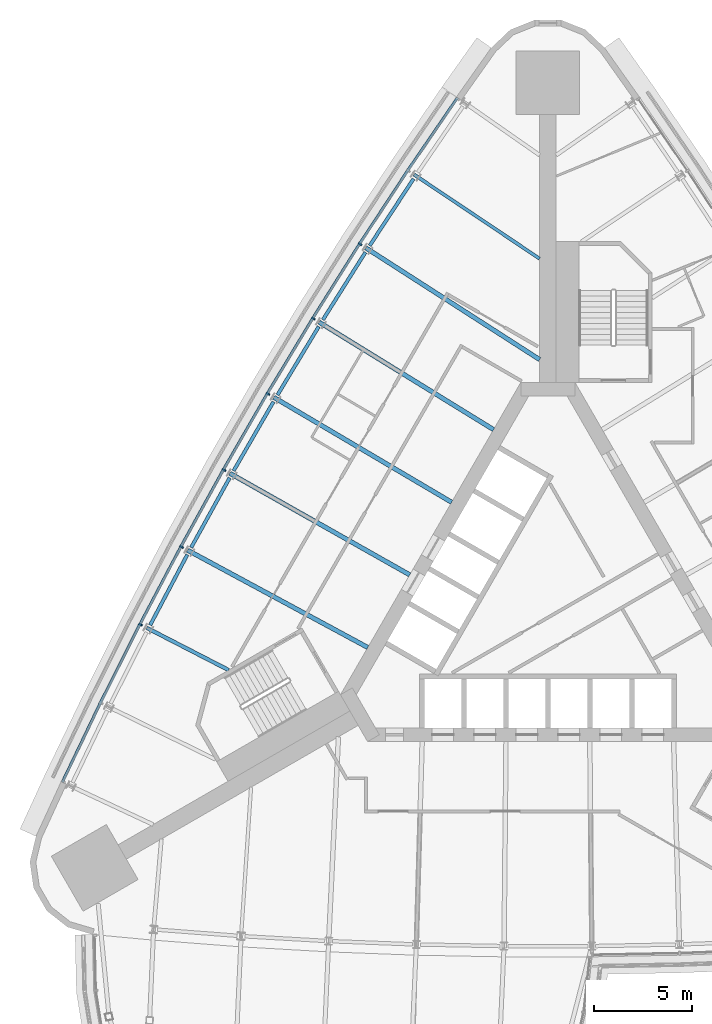
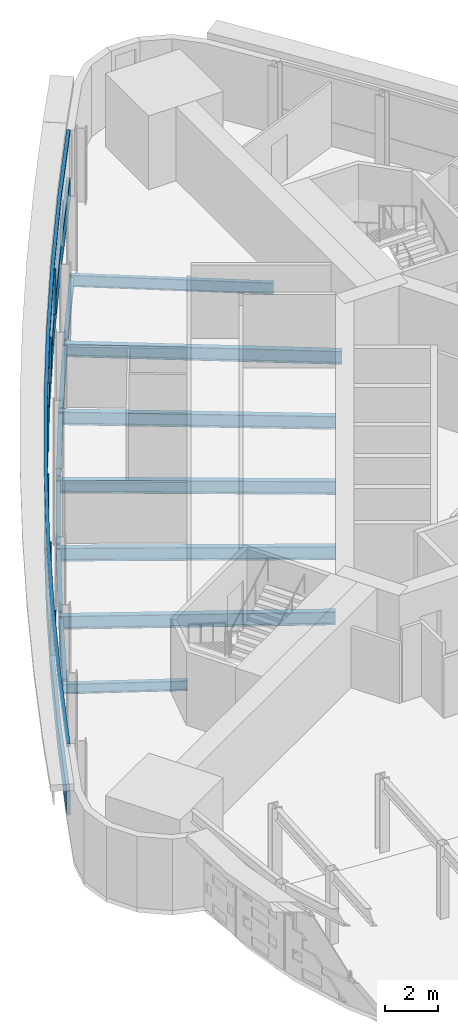
# One storey, part 6 of 16: 13 beams, 8 members, 1 element without a shape of its own.
"""IFC4 building model written with IfcOpenShell, lengths in metres."""

from ifc_helpers import new_model, si_unit, direction, frame, origin, origin_2d, place, context, subcontext, project, spatial, polyline, rectangle, i_section, outline, extrude, material, material_profile, profile_set, type_object, element, aggregate, save


model = new_model("IFC4")

# Units and contexts
model_context = context("Model", 3, precision=1e-05, world=origin(), true_north=direction((0.0, 1.0)))
body_context = subcontext(model_context, "Body", "Model", "MODEL_VIEW")
ifc_project = project(units=[si_unit("LENGTHUNIT", "METRE"), si_unit("AREAUNIT", "SQUARE_METRE"), si_unit("VOLUMEUNIT", "CUBIC_METRE"), si_unit("PLANEANGLEUNIT", "RADIAN"), si_unit("MASSUNIT", "GRAM", prefix="KILO")], contexts=[model_context])

# Site, building, storey
site_placement = place(None, origin())
site = spatial("IfcSite", under=ifc_project, at=site_placement, CompositionType="ELEMENT")
building_placement = place(site_placement, origin())
building = spatial("IfcBuilding", under=site, at=building_placement, Name="Noor Cloister Tower", CompositionType="ELEMENT")
storey_placement = place(building_placement, frame((0.0, 0.0, 65.39990234375)))
storey = spatial("IfcBuildingStorey", under=building, at=storey_placement, Name="L16", CompositionType="ELEMENT", Elevation=65.39990234375)

# Curtain wall, members
ifc_material_1 = material(Name="Aluminium 6063-T6 anodised", Category="aluminium")
curtain_wall_type = type_object("IfcCurtainWallType", Name="Ribbon curtain wall, lower tower CW1", PredefinedType="NOTDEFINED", material=ifc_material_1)
curtain_wall_placement = place(storey_placement, origin())
curtain_wall = element("IfcCurtainWall", 1, at=curtain_wall_placement, inside=storey, type_object=curtain_wall_type, Name="CW1 L16 NW run 1", PredefinedType="NOTDEFINED")
ifc_material_2 = material(Name="Aluminium 6063-T6 anodised", Category="aluminium")
member_type_1 = type_object("IfcMemberType", Name="Head transom CW1 150", PredefinedType="USERDEFINED", material=ifc_material_2)
member_1_placement = place(storey_placement, frame((0.0, 0.0, 3.150146484375)))
member_1 = element("IfcMember", 2, at=member_1_placement, type_object=member_type_1, Name="CW1 head transom", ObjectType="TRANSOM", PredefinedType="USERDEFINED", context=body_context, shape_type="SweptSolid", body=[
    extrude(outline(polyline([(-4.683837890625, 26.05810546875), (-7.224609375, 22.343994140625), (-9.69384765625, 18.582275390625), (-12.091064453125, 14.77392578125), (-14.4150390625, 10.920654296875), (-16.6650390625, 7.0234375), (-18.840087890625, 3.084228515625), (-20.939697265625, -0.89599609375), (-22.962890625, -4.91552734375), (-24.908935546875, -8.972900390625), (-24.78271484375, -9.033447265625), (-22.837158203125, -4.97705078125), (-20.815185546875, -0.9599609375), (-18.717041015625, 3.017822265625), (-16.543212890625, 6.95458984375), (-14.29443359375, 10.849365234375), (-11.971923828125, 14.700439453125), (-9.576171875, 18.506591796875), (-7.108154296875, 22.26611328125), (-4.568115234375, 25.97900390625), (-4.683837890625, 26.05810546875)])), origin(), (0.0, 0.0, 1.0), 0.14990234375),
])
ifc_material_3 = material(Name="Aluminium 6063-T6 anodised", Category="aluminium")
ifc_material_profile_1 = material_profile(ifc_material_3, rectangle(XDim=0.199951171875, YDim=0.080078125, at=origin_2d()), Name="200 x 80 mullion")
ifc_profile_set_1 = profile_set([ifc_material_profile_1], Name="Aluminium 6063-T6 anodised")
member_type_2 = type_object("IfcMemberType", Name="Mullion CW1 80 x 200", PredefinedType="MULLION", material=ifc_profile_set_1)
member_2_placement = place(storey_placement, frame((-9.60986328125, 18.528076171875, 1.10009765625), z_axis=(0.0, 0.0, 1.0), x_axis=(0.841177373697, -0.540759305034, 0.0)))
member_2 = element("IfcMember", 3, at=member_2_placement, type_object=member_type_2, Name="CW1 mullion 3", PredefinedType="MULLION", context=body_context, shape_type="SweptSolid", body=[
    extrude(rectangle(XDim=0.199951171875, YDim=0.080078125, at=origin_2d()), origin(), (0.0, 0.0, 1.0), 2.050048828125),
])
member_3_placement = place(storey_placement, frame((-12.005859375, 14.721435546875, 1.10009765625), z_axis=(0.0, 0.0, 1.0), x_axis=(0.851349873532, -0.524598315702, 0.0)))
member_3 = element("IfcMember", 4, at=member_3_placement, type_object=member_type_2, Name="CW1 mullion 4", PredefinedType="MULLION", context=body_context, shape_type="SweptSolid", body=[
    extrude(rectangle(XDim=0.199951171875, YDim=0.080078125, at=origin_2d()), origin(), (0.0, 0.0, 1.0), 2.050048828125),
])
member_4_placement = place(storey_placement, frame((-14.328857421875, 10.86962890625, 1.10009765625), z_axis=(0.0, 0.0, 1.0), x_axis=(0.861211922396, -0.50824602775, 0.0)))
member_4 = element("IfcMember", 5, at=member_4_placement, type_object=member_type_2, Name="CW1 mullion 5", PredefinedType="MULLION", context=body_context, shape_type="SweptSolid", body=[
    extrude(rectangle(XDim=0.199951171875, YDim=0.080078125, at=origin_2d()), origin(), (0.0, 0.0, 1.0), 2.050048828125),
])
member_5_placement = place(storey_placement, frame((-16.577880859375, 6.974365234375, 1.10009765625), z_axis=(0.0, 0.0, 1.0), x_axis=(0.870759932602, -0.491708388961, 0.0)))
member_5 = element("IfcMember", 6, at=member_5_placement, type_object=member_type_2, Name="CW1 mullion 6", PredefinedType="MULLION", context=body_context, shape_type="SweptSolid", body=[
    extrude(rectangle(XDim=0.199951171875, YDim=0.080078125, at=origin_2d()), origin(), (0.0, 0.0, 1.0), 2.050048828125),
])
member_6_placement = place(storey_placement, frame((-18.752197265625, 3.03662109375, 1.10009765625), z_axis=(0.0, 0.0, 1.0), x_axis=(0.879990404946, -0.474991460136, 0.0)))
member_6 = element("IfcMember", 7, at=member_6_placement, type_object=member_type_2, Name="CW1 mullion 7", PredefinedType="MULLION", context=body_context, shape_type="SweptSolid", body=[
    extrude(rectangle(XDim=0.199951171875, YDim=0.080078125, at=origin_2d()), origin(), (0.0, 0.0, 1.0), 2.050048828125),
])
member_7_placement = place(storey_placement, frame((-20.850830078125, -0.941650390625, 1.10009765625), z_axis=(0.0, 0.0, 1.0), x_axis=(0.88889998234, -0.458101322193, 0.0)))
member_7 = element("IfcMember", 8, at=member_7_placement, type_object=member_type_2, Name="CW1 mullion 8", PredefinedType="MULLION", context=body_context, shape_type="SweptSolid", body=[
    extrude(rectangle(XDim=0.199951171875, YDim=0.080078125, at=origin_2d()), origin(), (0.0, 0.0, 1.0), 2.050048828125),
])

# Beams
ifc_material_4 = material(Name="Steel ASTM A992 Gr 50", Category="steel")
ifc_material_profile_2 = material_profile(ifc_material_4, i_section(OverallWidth=0.19091796875, OverallDepth=0.45703125, WebThickness=0.009033203125, FlangeThickness=0.014404296875, FilletRadius=0.01025390625, at=origin_2d()), Name="W460x74")
ifc_profile_set_2 = profile_set([ifc_material_profile_2], Name="Steel ASTM A992 Gr 50")
beam_type_1 = type_object("IfcBeamType", Name="Radial beam W460x74", PredefinedType="BEAM", material=ifc_profile_set_2)
beam_1_placement = place(storey_placement, frame((-20.537109375, -1.103515625, -0.428466796875), z_axis=(0.888897465963, -0.458106204939, 0.0), x_axis=(0.458106204939, 0.888897465963, 0.0)))
element("IfcBeam", 9, at=beam_1_placement, inside=storey, type_object=beam_type_1, Name="Radial beam NW 08 L16", PredefinedType="BEAM", context=body_context, shape_type="SweptSolid", body=[
    extrude(i_section(OverallWidth=0.19091796875, OverallDepth=0.45703125, WebThickness=0.009033203125, FlangeThickness=0.014404296875, FilletRadius=0.01025390625, at=origin_2d()), origin(), (0.0, 0.0, 1.0), 4.728271484375),
])
ifc_material_5 = material(Name="Steel ASTM A992 Gr 50", Category="steel")
ifc_material_profile_3 = material_profile(ifc_material_5, i_section(OverallWidth=0.166015625, OverallDepth=0.528076171875, WebThickness=0.009765625, FlangeThickness=0.013671875, FilletRadius=0.0126953125, at=origin_2d()), Name="W530x74")
ifc_profile_set_3 = profile_set([ifc_material_profile_3], Name="Steel ASTM A992 Gr 50")
beam_type_2 = type_object("IfcBeamType", Name="Radial beam W530x74", PredefinedType="BEAM", material=ifc_profile_set_3)
beam_2_placement = place(storey_placement, frame((-6.84814453125, 22.091796875, -0.4638671875), z_axis=(0.830697405227, -0.556724187501, 0.0), x_axis=(0.556724187501, 0.830697405227, 0.0)))
element("IfcBeam", 10, at=beam_2_placement, inside=storey, type_object=beam_type_2, Name="Radial beam NW 02 L16", PredefinedType="BEAM", context=body_context, shape_type="SweptSolid", body=[
    extrude(i_section(OverallWidth=0.166015625, OverallDepth=0.528076171875, WebThickness=0.009765625, FlangeThickness=0.013671875, FilletRadius=0.0126953125, at=origin_2d()), origin(), (0.0, 0.0, 1.0), 7.732177734375),
])
ifc_material_6 = material(Name="Steel ASTM A992 Gr 50", Category="steel")
ifc_material_profile_4 = material_profile(ifc_material_6, i_section(OverallWidth=0.22802734375, OverallDepth=0.60205078125, WebThickness=0.010498046875, FlangeThickness=0.014892578125, FilletRadius=0.0126953125, at=origin_2d()), Name="W610x101")
ifc_profile_set_4 = profile_set([ifc_material_profile_4], Name="Steel ASTM A992 Gr 50")
beam_type_3 = type_object("IfcBeamType", Name="Radial beam W610x101", PredefinedType="BEAM", material=ifc_profile_set_4)
beam_3_placement = place(storey_placement, frame((-9.31298828125, 18.33740234375, -0.5009765625), z_axis=(0.841170217214, -0.540770437129, 0.0), x_axis=(0.540770437129, 0.841170217214, 0.0)))
element("IfcBeam", 11, at=beam_3_placement, inside=storey, type_object=beam_type_3, Name="Radial beam NW 03 L16", PredefinedType="BEAM", context=body_context, shape_type="SweptSolid", body=[
    extrude(i_section(OverallWidth=0.22802734375, OverallDepth=0.60205078125, WebThickness=0.010498046875, FlangeThickness=0.014892578125, FilletRadius=0.0126953125, at=origin_2d()), origin(), (0.0, 0.0, 1.0), 10.566162109375),
])
beam_4_placement = place(storey_placement, frame((-11.705322265625, 14.536376953125, -0.5009765625), z_axis=(0.85134946525, -0.524598978286, 0.0), x_axis=(0.524598978286, 0.85134946525, 0.0)))
element("IfcBeam", 12, at=beam_4_placement, inside=storey, type_object=beam_type_3, Name="Radial beam NW 04 L16", PredefinedType="BEAM", context=body_context, shape_type="SweptSolid", body=[
    extrude(i_section(OverallWidth=0.22802734375, OverallDepth=0.60205078125, WebThickness=0.010498046875, FlangeThickness=0.014892578125, FilletRadius=0.0126953125, at=origin_2d()), origin(), (0.0, 0.0, 1.0), 10.4814453125),
])
beam_5_placement = place(storey_placement, frame((-14.02490234375, 10.6904296875, -0.5009765625), z_axis=(0.861210281965, -0.508248807414, 0.0), x_axis=(0.508248807414, 0.861210281965, 0.0)))
element("IfcBeam", 13, at=beam_5_placement, inside=storey, type_object=beam_type_3, Name="Radial beam NW 05 L16", PredefinedType="BEAM", context=body_context, shape_type="SweptSolid", body=[
    extrude(i_section(OverallWidth=0.22802734375, OverallDepth=0.60205078125, WebThickness=0.010498046875, FlangeThickness=0.014892578125, FilletRadius=0.0126953125, at=origin_2d()), origin(), (0.0, 0.0, 1.0), 10.5634765625),
])
beam_6_placement = place(storey_placement, frame((-16.2705078125, 6.80078125, -0.5009765625), z_axis=(0.87075647763, -0.491714507275, 0.0), x_axis=(0.491714507275, 0.87075647763, 0.0)))
element("IfcBeam", 14, at=beam_6_placement, inside=storey, type_object=beam_type_3, Name="Radial beam NW 06 L16", PredefinedType="BEAM", context=body_context, shape_type="SweptSolid", body=[
    extrude(i_section(OverallWidth=0.22802734375, OverallDepth=0.60205078125, WebThickness=0.010498046875, FlangeThickness=0.014892578125, FilletRadius=0.0126953125, at=origin_2d()), origin(), (0.0, 0.0, 1.0), 10.563232421875),
])
beam_7_placement = place(storey_placement, frame((-18.44140625, 2.869140625, -0.5009765625), z_axis=(0.879979983035, -0.475010767729, 0.0), x_axis=(0.475010767729, 0.879979983035, 0.0)))
element("IfcBeam", 15, at=beam_7_placement, inside=storey, type_object=beam_type_3, Name="Radial beam NW 07 L16", PredefinedType="BEAM", context=body_context, shape_type="SweptSolid", body=[
    extrude(i_section(OverallWidth=0.22802734375, OverallDepth=0.60205078125, WebThickness=0.010498046875, FlangeThickness=0.014892578125, FilletRadius=0.0126953125, at=origin_2d()), origin(), (0.0, 0.0, 1.0), 10.4814453125),
])

# Member
ifc_material_7 = material(Name="Aluminium 6063-T6 anodised", Category="aluminium")
member_type_3 = type_object("IfcMemberType", Name="Sill transom CW1 1100", PredefinedType="USERDEFINED", material=ifc_material_7)
member_8_placement = place(storey_placement, origin())
member_8 = element("IfcMember", 16, at=member_8_placement, type_object=member_type_3, Name="CW1 sill transom", ObjectType="TRANSOM", PredefinedType="USERDEFINED", context=body_context, shape_type="SweptSolid", body=[
    extrude(outline(polyline([(-4.683837890625, 26.05810546875), (-7.224609375, 22.343994140625), (-9.69384765625, 18.582275390625), (-12.091064453125, 14.77392578125), (-14.4150390625, 10.920654296875), (-16.6650390625, 7.0234375), (-18.840087890625, 3.084228515625), (-20.939697265625, -0.89599609375), (-22.962890625, -4.91552734375), (-24.908935546875, -8.972900390625), (-24.78271484375, -9.033447265625), (-22.837158203125, -4.97705078125), (-20.815185546875, -0.9599609375), (-18.717041015625, 3.017822265625), (-16.543212890625, 6.95458984375), (-14.29443359375, 10.849365234375), (-11.971923828125, 14.700439453125), (-9.576171875, 18.506591796875), (-7.108154296875, 22.26611328125), (-4.568115234375, 25.97900390625), (-4.683837890625, 26.05810546875)])), origin(), (0.0, 0.0, 1.0), 1.10009765625),
])

aggregate(curtain_wall, [member_2, member_3, member_4, member_5, member_6, member_7, member_8, member_1])

# Beams
ifc_material_8 = material(Name="Steel ASTM A992 Gr 50", Category="steel")
ifc_material_profile_5 = material_profile(ifc_material_8, i_section(OverallWidth=0.177978515625, OverallDepth=0.406005859375, WebThickness=0.0078125, FlangeThickness=0.0126953125, FilletRadius=0.01025390625, at=origin_2d()), Name="W410x60")
ifc_profile_set_5 = profile_set([ifc_material_profile_5], Name="Steel ASTM A992 Gr 50")
beam_type_4 = type_object("IfcBeamType", Name="Spandrel beam W410x60", PredefinedType="SPANDREL", material=ifc_profile_set_5)
beam_8_placement = place(storey_placement, frame((-6.87841796875, 21.869140625, -0.40283203125), z_axis=(-0.548742585616, -0.835991372402, 0.0), x_axis=(0.835991372402, -0.548742585616, 0.0)))
element("IfcBeam", 17, at=beam_8_placement, inside=storey, type_object=beam_type_4, Name="Spandrel beam NW 02 L16", PredefinedType="SPANDREL", context=body_context, shape_type="SweptSolid", body=[
    extrude(i_section(OverallWidth=0.177978515625, OverallDepth=0.406005859375, WebThickness=0.0078125, FlangeThickness=0.0126953125, FilletRadius=0.01025390625, at=origin_2d()), origin(), (0.0, 0.0, 1.0), 4.085693359375),
])
beam_9_placement = place(storey_placement, frame((-9.3388671875, 18.11376953125, -0.40283203125), z_axis=(-0.532719748658, -0.846291716484, 0.0), x_axis=(0.846291716484, -0.532719748658, 0.0)))
element("IfcBeam", 18, at=beam_9_placement, inside=storey, type_object=beam_type_4, Name="Spandrel beam NW 03 L16", PredefinedType="SPANDREL", context=body_context, shape_type="SweptSolid", body=[
    extrude(i_section(OverallWidth=0.177978515625, OverallDepth=0.406005859375, WebThickness=0.0078125, FlangeThickness=0.0126953125, FilletRadius=0.01025390625, at=origin_2d()), origin(), (0.0, 0.0, 1.0), 4.085205078125),
])
beam_10_placement = place(storey_placement, frame((-11.72705078125, 14.3125, -0.40283203125), z_axis=(-0.516471610202, -0.856304312646, 0.0), x_axis=(0.856304312646, -0.516471610202, 0.0)))
element("IfcBeam", 19, at=beam_10_placement, inside=storey, type_object=beam_type_4, Name="Spandrel beam NW 04 L16", PredefinedType="SPANDREL", context=body_context, shape_type="SweptSolid", body=[
    extrude(i_section(OverallWidth=0.177978515625, OverallDepth=0.406005859375, WebThickness=0.0078125, FlangeThickness=0.0126953125, FilletRadius=0.01025390625, at=origin_2d()), origin(), (0.0, 0.0, 1.0), 4.085693359375),
])
for number, where, z_axis, x_axis, name in (
    (20, (-14.04248046875, 10.466064453125, -0.40283203125), (-0.500001788232, -0.866024371346, 0.0), (0.866024371346, -0.500001788232, 0.0), "Spandrel beam NW 05 L16"),
    (21, (-16.28369140625, 6.576171875, -0.40283203125), (-0.483388526377, -0.875405924453, 0.0), (0.875405924453, -0.483388526377, 0.0), "Spandrel beam NW 06 L16"),
    (22, (-18.450439453125, 2.644287109375, -0.40283203125), (-0.466541783788, -0.884499159965, 0.0), (0.884499159965, -0.466541783788, 0.0), "Spandrel beam NW 07 L16"),
):
    element("IfcBeam", number, at=place(storey_placement, frame(where, z_axis=z_axis, x_axis=x_axis)), inside=storey, type_object=beam_type_4, Name=name, PredefinedType="SPANDREL", context=body_context, shape_type="SweptSolid", body=[
        extrude(i_section(OverallWidth=0.177978515625, OverallDepth=0.406005859375, WebThickness=0.0078125, FlangeThickness=0.0126953125, FilletRadius=0.01025390625, at=origin_2d()), origin(), (0.0, 0.0, 1.0), 4.08544921875),
    ])

save(model, "model.ifc")
